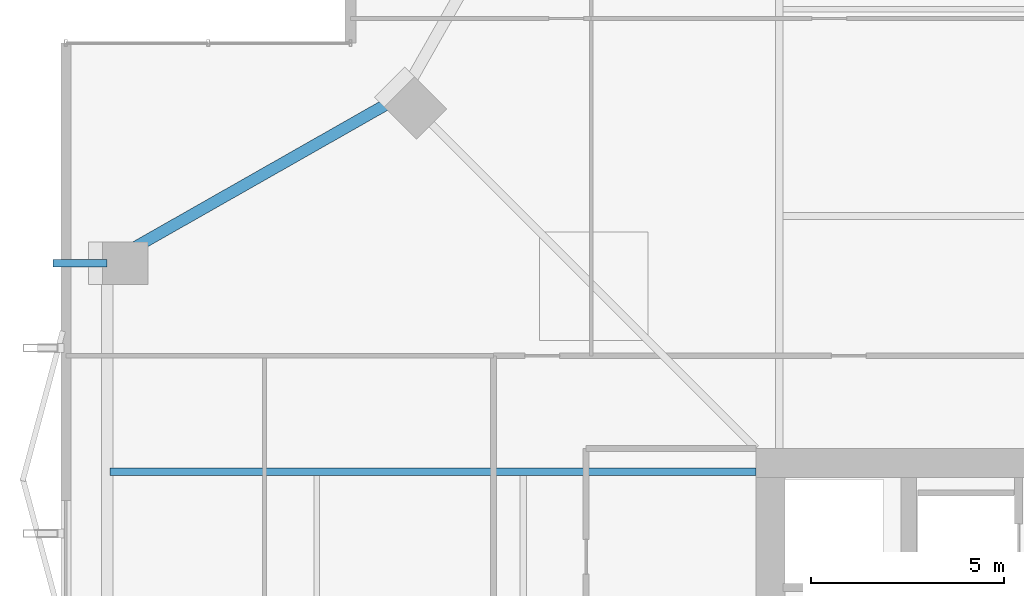
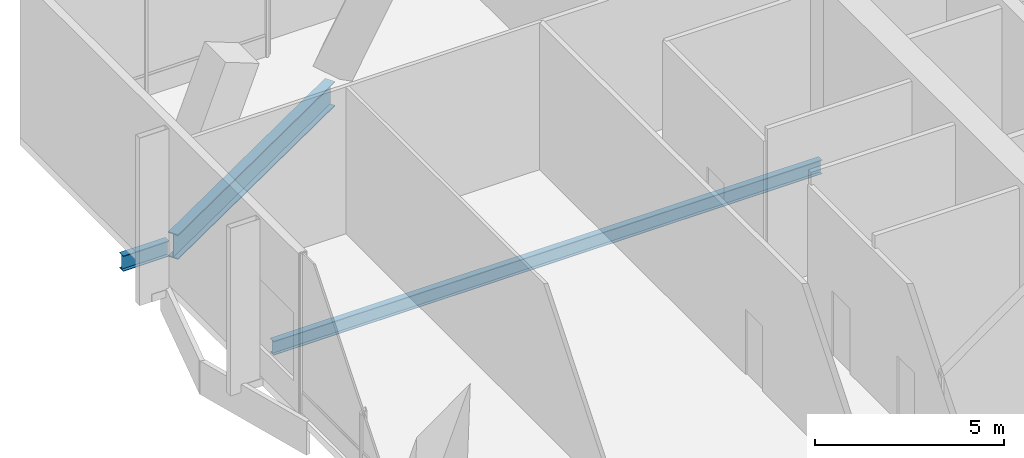
# One storey, part 18 of 33: 3 beams.
"""IFC4 building model written with IfcOpenShell, lengths in metres."""

from ifc_helpers import new_model, si_unit, direction, frame, origin, origin_2d, place, context, subcontext, project, spatial, i_section, extrude, material, material_profile, profile_set, type_object, element, save


model = new_model("IFC4")

# Units and contexts
model_context = context("Model", 3, precision=1e-05, world=origin(), true_north=direction((0.0, 1.0)))
body_context = subcontext(model_context, "Body", "Model", "MODEL_VIEW")
ifc_project = project(units=[si_unit("LENGTHUNIT", "METRE"), si_unit("AREAUNIT", "SQUARE_METRE"), si_unit("VOLUMEUNIT", "CUBIC_METRE"), si_unit("PLANEANGLEUNIT", "RADIAN"), si_unit("MASSUNIT", "GRAM", prefix="KILO")], contexts=[model_context])

# Site, building, storey
site_placement = place(None, origin())
site = spatial("IfcSite", under=ifc_project, at=site_placement, CompositionType="ELEMENT")
building_placement = place(site_placement, origin())
building = spatial("IfcBuilding", under=site, at=building_placement, Name="Belovzor Exchange Tower", CompositionType="ELEMENT")
storey_placement = place(building_placement, frame((0.0, 0.0, 241.199951171875)))
storey = spatial("IfcBuildingStorey", under=building, at=storey_placement, Name="L60", CompositionType="ELEMENT", Elevation=241.199951171875)

# Beams
ifc_material_1 = material(Name="Steel S355", Category="steel")
ifc_material_profile_1 = material_profile(ifc_material_1, i_section(OverallWidth=0.199951171875, OverallDepth=0.5, WebThickness=0.01025390625, FlangeThickness=0.01611328125, at=origin_2d()))
ifc_profile_set_1 = profile_set([ifc_material_profile_1], Name="Steel S355")
beam_type_1 = type_object("IfcBeamType", Name="Planted Balcony Cantilever Beam IPE 500", PredefinedType="BEAM", material=ifc_profile_set_1)
beam_1_placement = place(storey_placement, frame((3.0, 42.60009765625, -0.5), z_axis=(-1.0, 0.0, 0.0), x_axis=(0.0, -1.0, 0.0)))
element("IfcBeam", 1, at=beam_1_placement, inside=storey, type_object=beam_type_1, Name="BC-500 Planted Balcony Cantilever Beam IPE 500", PredefinedType="BEAM", context=body_context, shape_type="SweptSolid", body=[
    extrude(i_section(OverallWidth=0.199951171875, OverallDepth=0.5, WebThickness=0.01025390625, FlangeThickness=0.01611328125, at=origin_2d()), origin(), (0.0, 0.0, 1.0), 1.39990234375),
])
ifc_material_2 = material(Name="Steel S355", Category="steel")
ifc_material_profile_2 = material_profile(ifc_material_2, i_section(OverallWidth=0.300048828125, OverallDepth=0.800048828125, WebThickness=0.017578125, FlangeThickness=0.032958984375, at=origin_2d()))
ifc_profile_set_2 = profile_set([ifc_material_profile_2], Name="Steel S355")
beam_type_2 = type_object("IfcBeamType", Name="Sky-Lobby Primary Girder HEB 800", PredefinedType="BEAM", material=ifc_profile_set_2)
beam_2_placement = place(storey_placement, frame((10.386962890625, 46.800048828125, -0.64990234375), z_axis=(-0.869335547884, -0.494222323641, 0.0), x_axis=(0.494222323641, -0.869335547884, 0.0)))
element("IfcBeam", 2, at=beam_2_placement, inside=storey, type_object=beam_type_2, Name="SG-1 Sky-Lobby Primary Girder HEB 800", PredefinedType="BEAM", context=body_context, shape_type="SweptSolid", body=[
    extrude(i_section(OverallWidth=0.300048828125, OverallDepth=0.800048828125, WebThickness=0.017578125, FlangeThickness=0.032958984375, at=origin_2d()), origin(), (0.0, 0.0, 1.0), 8.19482421875),
])
ifc_material_3 = material(Name="Steel S355", Category="steel")
ifc_material_profile_3 = material_profile(ifc_material_3, i_section(OverallWidth=0.18994140625, OverallDepth=0.449951171875, WebThickness=0.009521484375, FlangeThickness=0.0146484375, at=origin_2d()))
ifc_profile_set_3 = profile_set([ifc_material_profile_3], Name="Steel S355")
beam_type_3 = type_object("IfcBeamType", Name="Zone 2-4 Radial Composite Floor Beam IPE 450", PredefinedType="BEAM", material=ifc_profile_set_3)
beam_3_placement = place(storey_placement, frame((19.800048828125, 37.199951171875, -0.474853515625), z_axis=(-1.0, 0.0, 0.0), x_axis=(0.0, -1.0, 0.0)))
element("IfcBeam", 3, at=beam_3_placement, inside=storey, type_object=beam_type_3, Name="FB-450 Zone 2-4 Radial Composite Floor Beam IPE 450", PredefinedType="BEAM", context=body_context, shape_type="SweptSolid", body=[
    extrude(i_section(OverallWidth=0.18994140625, OverallDepth=0.449951171875, WebThickness=0.009521484375, FlangeThickness=0.0146484375, at=origin_2d()), origin(), (0.0, 0.0, 1.0), 16.72509765625),
])

save(model, "model.ifc")
